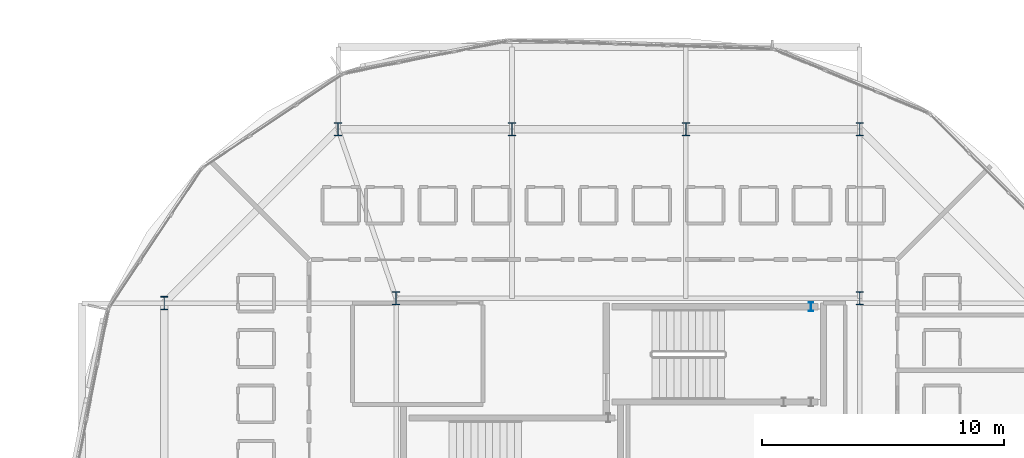
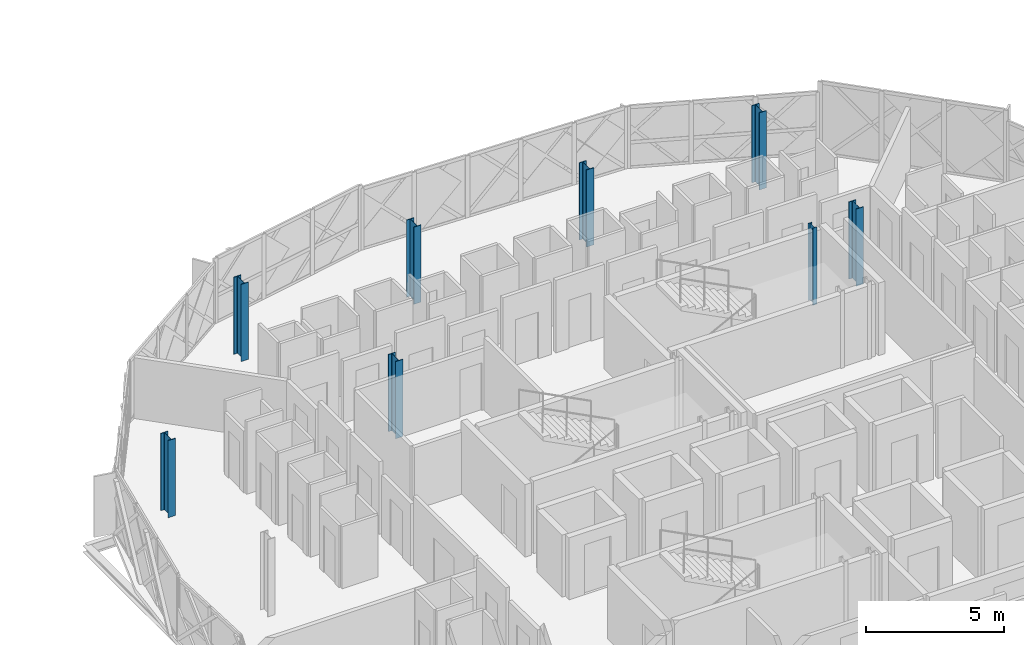
# One storey, part 3 of 50: 8 columns.
"""IFC4 building model written with IfcOpenShell, lengths in metres."""

from ifc_helpers import new_model, si_unit, direction, frame, origin, origin_2d, place, context, subcontext, project, spatial, i_section, extrude, material, material_profile, profile_set, type_object, element, save


model = new_model("IFC4")

# Units and contexts
model_context = context("Model", 3, precision=1e-05, world=origin(), true_north=direction((0.0, 1.0)))
body_context = subcontext(model_context, "Body", "Model", "MODEL_VIEW")
ifc_project = project(units=[si_unit("LENGTHUNIT", "METRE"), si_unit("AREAUNIT", "SQUARE_METRE"), si_unit("VOLUMEUNIT", "CUBIC_METRE"), si_unit("PLANEANGLEUNIT", "RADIAN"), si_unit("MASSUNIT", "GRAM", prefix="KILO")], contexts=[model_context])

# Site, building, storey
site_placement = place(None, origin())
site = spatial("IfcSite", under=ifc_project, at=site_placement, CompositionType="ELEMENT")
building_placement = place(site_placement, origin())
building = spatial("IfcBuilding", under=site, at=building_placement, Name="Zevrakil Square Congress Hotel", CompositionType="ELEMENT")
storey_placement = place(building_placement, frame((0.0, 0.0, 21.5)))
storey = spatial("IfcBuildingStorey", under=building, at=storey_placement, Name="L06", CompositionType="ELEMENT", Elevation=21.5)

# Columns
ifc_material_1 = material(Name="Steel S355", Category="steel")
ifc_material_profile_1 = material_profile(ifc_material_1, i_section(OverallWidth=0.300048828125, OverallDepth=0.550048828125, WebThickness=0.014892578125, FlangeThickness=0.029052734375, FilletRadius=0.027099609375, at=origin_2d()), Name="HEB 550")
ifc_profile_set_1 = profile_set([ifc_material_profile_1], Name="Steel S355")
column_type_1 = type_object("IfcColumnType", Name="COL-HEB550", PredefinedType="COLUMN", material=ifc_profile_set_1)
for number, where, z_axis, x_axis, name in (
    (1, (136.800048828125, 38.60009765625, 0.0), (0.0, 0.0, 1.0), (1.0, 0.0, 0.0), "L06 drum core collar column CC01"),
    (2, (156.0, 38.60009765625, 0.0), (0.0, 0.0, 1.0), (1.0, 0.0, 0.0), "L06 drum core collar column CC02"),
    (3, (156.0, 45.60009765625, 0.0), (0.0, 0.0, 1.0), (1.0, 0.0, 0.0), "L06 drum column DC09"),
    (4, (148.800048828125, 45.60009765625, 0.0), (0.0, 0.0, 1.0), (1.0, 0.0, 0.0), "L06 drum column DC10"),
    (5, (141.60009765625, 45.60009765625, 0.0), (0.0, 0.0, 1.0), (1.0, 0.0, 0.0), "L06 drum column DC11"),
    (6, (134.39990234375, 45.60009765625, 0.0), (0.0, 0.0, 1.0), (1.0, 0.0, 0.0), "L06 drum column DC12"),
    (7, (127.199951171875, 38.39990234375, 0.0), (0.0, 0.0, 1.0), (1.0, 0.0, 0.0), "L06 drum column DC13"),
):
    element("IfcColumn", number, at=place(storey_placement, frame(where, z_axis=z_axis, x_axis=x_axis)), inside=storey, type_object=column_type_1, Name=name, PredefinedType="COLUMN", context=body_context, shape_type="SweptSolid", body=[
        extrude(i_section(OverallWidth=0.300048828125, OverallDepth=0.550048828125, WebThickness=0.014892578125, FlangeThickness=0.029052734375, FilletRadius=0.027099609375, at=origin_2d()), origin(), (0.0, 0.0, 1.0), 3.39990234375),
    ])
ifc_material_2 = material(Name="Steel S355", Category="steel")
ifc_material_profile_2 = material_profile(ifc_material_2, i_section(OverallWidth=0.169921875, OverallDepth=0.360107421875, WebThickness=0.008056640625, FlangeThickness=0.0126953125, FilletRadius=0.01806640625, at=origin_2d()), Name="IPE 360")
ifc_profile_set_2 = profile_set([ifc_material_profile_2], Name="Steel S355")
column_type_2 = type_object("IfcColumnType", Name="COL-PILASTER-SHS180", PredefinedType="PILASTER", material=ifc_profile_set_2)
column_placement = place(storey_placement, frame((153.97998046875, 38.25, 0.0), z_axis=(0.0, 0.0, 1.0), x_axis=(1.0, 0.0, 0.0)))
element("IfcColumn", 8, at=column_placement, inside=storey, type_object=column_type_2, Name="L06 ST03 stair shaft post 3", PredefinedType="PILASTER", context=body_context, shape_type="SweptSolid", body=[
    extrude(i_section(OverallWidth=0.169921875, OverallDepth=0.360107421875, WebThickness=0.008056640625, FlangeThickness=0.0126953125, FilletRadius=0.01806640625, at=origin_2d()), origin(), (0.0, 0.0, 1.0), 3.39990234375),
])

save(model, "model.ifc")
